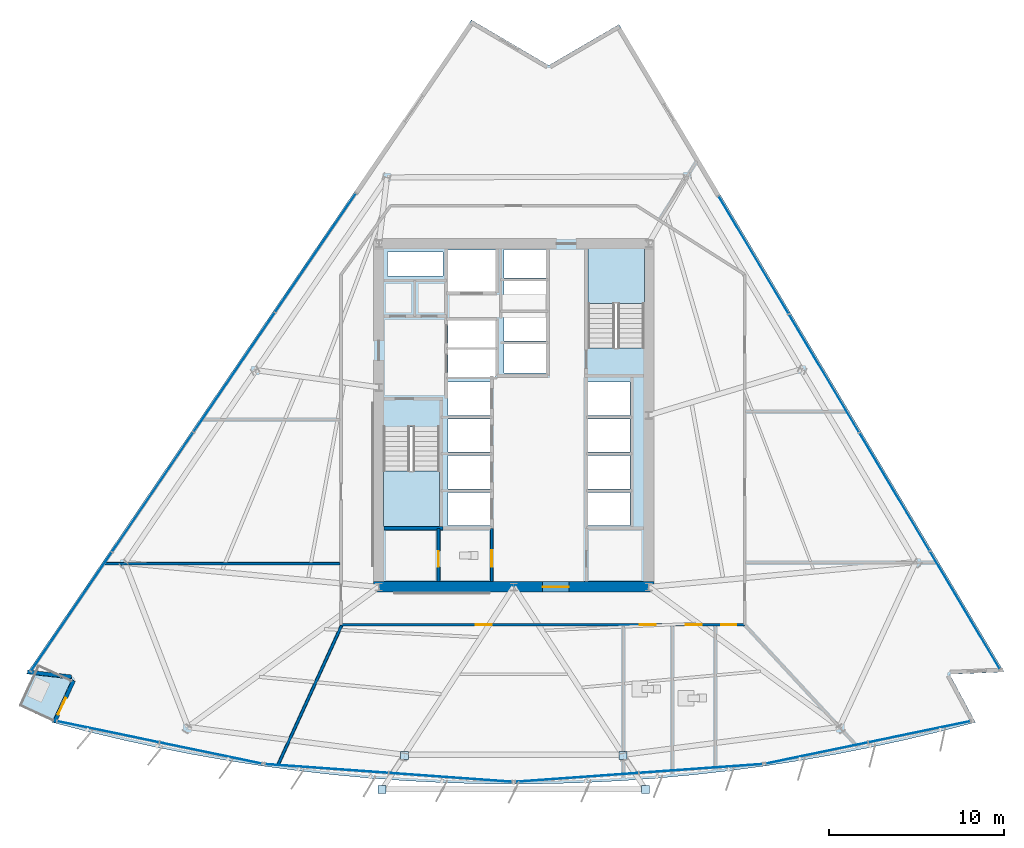
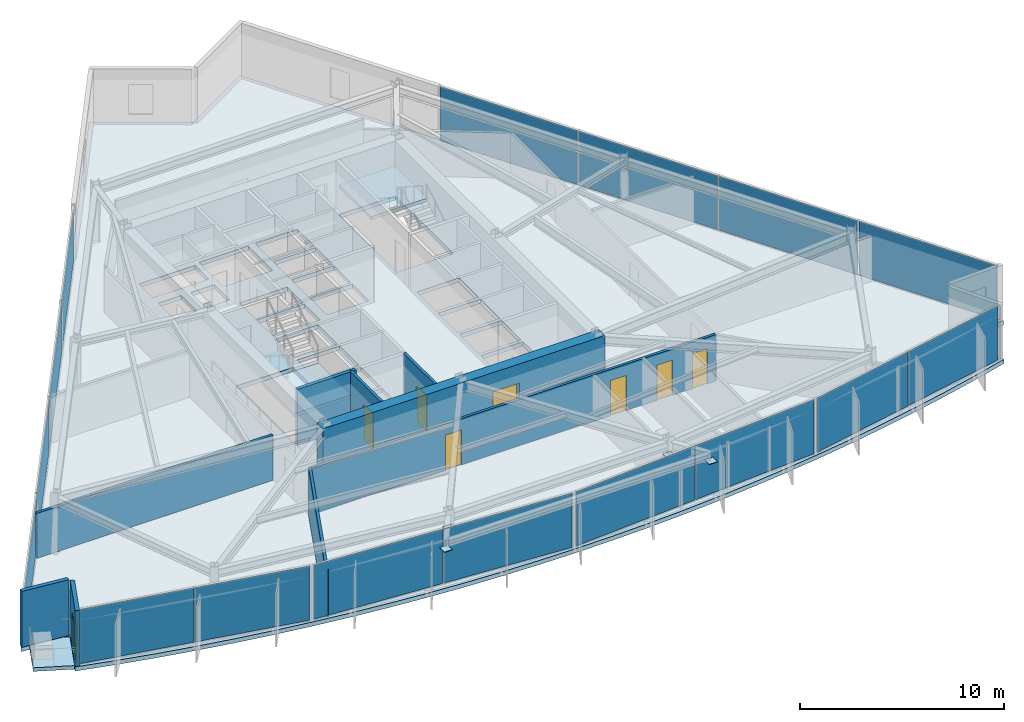
# One storey, part 7 of 15: 20 plates, 9 walls, 8 doors, 4 slabs, 8 openings, 8 elements without a shape of their own.
"""IFC4 building model written with IfcOpenShell, lengths in metres."""

from ifc_helpers import new_model, si_unit, direction, frame, frame_2d, origin, origin_2d, place, context, subcontext, project, spatial, polyline, rectangle, outline, extrude, material, layer, layer_set, type_object, element, fill, aggregate, save


model = new_model("IFC4")

# Units and contexts
model_context = context("Model", 3, precision=1e-05, world=origin(), true_north=direction((0.0, 1.0)))
body_context = subcontext(model_context, "Body", "Model", "MODEL_VIEW")
ifc_project = project(units=[si_unit("LENGTHUNIT", "METRE"), si_unit("AREAUNIT", "SQUARE_METRE"), si_unit("VOLUMEUNIT", "CUBIC_METRE"), si_unit("PLANEANGLEUNIT", "RADIAN"), si_unit("MASSUNIT", "GRAM", prefix="KILO")], contexts=[model_context])

# Site, building, storey
site_placement = place(None, origin())
site = spatial("IfcSite", under=ifc_project, at=site_placement, CompositionType="ELEMENT")
building_placement = place(site_placement, origin())
building = spatial("IfcBuilding", under=site, at=building_placement, Name="Savorim Split Tower", CompositionType="ELEMENT")
storey_placement = place(building_placement, frame((0.0, 0.0, 111.300048828125)))
storey = spatial("IfcBuildingStorey", under=building, at=storey_placement, Name="L29", CompositionType="ELEMENT", Elevation=111.300048828125)

# Curtain wall, plates
ifc_material_1 = material(Name="Dark Ceramic-Fritted Insulated Glass", Category="glass")
curtain_wall_type = type_object("IfcCurtainWallType", Name="CW-TWR-FRIT-A", PredefinedType="NOTDEFINED", material=ifc_material_1)
curtain_wall_1_placement = place(storey_placement, origin())
curtain_wall_1 = element("IfcCurtainWall", 1, at=curtain_wall_1_placement, inside=storey, type_object=curtain_wall_type, Name="L29 Curtain Wall CW-L29-SF1", PredefinedType="NOTDEFINED")
ifc_layer_1 = layer(ifc_material_1, 0.028076171875)
ifc_layer_set_1 = layer_set([ifc_layer_1], Name="CWP-FRITA-28")
plate_type_1 = type_object("IfcPlateType", Name="CWP-FRITA-28", PredefinedType="CURTAIN_PANEL", material=ifc_layer_set_1)
plate_1_placement = place(storey_placement, frame((-23.156982421875, -17.666015625, 0.05517578125), z_axis=(0.0, 0.0, 1.0), x_axis=(0.979134337165, -0.203214049179, 0.0)))
plate_1 = element("IfcPlate", 2, at=plate_1_placement, type_object=plate_type_1, Name="CW-02 panel 1.1", PredefinedType="CURTAIN_PANEL", context=body_context, shape_type="SweptSolid", body=[
    extrude(rectangle(XDim=5.912841796875, YDim=0.028076171875, at=origin_2d()), origin(), (0.0, 0.0, 1.0), 3.239990234375),
])
plate_2_placement = place(storey_placement, frame((-17.3037109375, -18.880859375, 0.05517578125), z_axis=(0.0, 0.0, 1.0), x_axis=(0.979134337165, -0.203214049179, 0.0)))
plate_2 = element("IfcPlate", 3, at=plate_2_placement, type_object=plate_type_1, Name="CW-02 panel 2.1", PredefinedType="CURTAIN_PANEL", context=body_context, shape_type="SweptSolid", body=[
    extrude(rectangle(XDim=5.912841796875, YDim=0.028076171875, at=origin_2d()), origin(), (0.0, 0.0, 1.0), 3.239990234375),
])
aggregate(curtain_wall_1, [plate_1, plate_2])

curtain_wall_2_placement = place(storey_placement, origin())
curtain_wall_2 = element("IfcCurtainWall", 4, at=curtain_wall_2_placement, inside=storey, type_object=curtain_wall_type, Name="L29 Curtain Wall CW-L29-SF2", PredefinedType="NOTDEFINED")
plate_3_placement = place(storey_placement, frame((-10.678466796875, -19.764892578125, 0.05517578125), z_axis=(0.0, 0.0, 1.0), x_axis=(0.99743649575, -0.071557228472, 0.0)))
plate_3 = element("IfcPlate", 5, at=plate_3_placement, type_object=plate_type_1, Name="CW-02 panel 1.1", PredefinedType="CURTAIN_PANEL", context=body_context, shape_type="SweptSolid", body=[
    extrude(rectangle(XDim=7.016357421875, YDim=0.028076171875, at=origin_2d()), origin(), (0.0, 0.0, 1.0), 3.239990234375),
])
plate_4_placement = place(storey_placement, frame((-3.615234375, -20.271484375, 0.05517578125), z_axis=(0.0, 0.0, 1.0), x_axis=(0.99743649575, -0.071557228472, 0.0)))
plate_4 = element("IfcPlate", 6, at=plate_4_placement, type_object=plate_type_1, Name="CW-02 panel 2.1", PredefinedType="CURTAIN_PANEL", context=body_context, shape_type="SweptSolid", body=[
    extrude(rectangle(XDim=7.016357421875, YDim=0.028076171875, at=origin_2d()), origin(), (0.0, 0.0, 1.0), 3.239990234375),
])
aggregate(curtain_wall_2, [plate_3, plate_4])

curtain_wall_3_placement = place(storey_placement, origin())
curtain_wall_3 = element("IfcCurtainWall", 7, at=curtain_wall_3_placement, inside=storey, type_object=curtain_wall_type, Name="L29 Curtain Wall CW-L29-SF3", PredefinedType="NOTDEFINED")
plate_5_placement = place(storey_placement, frame((3.615234375, -20.271484375, 0.05517578125), z_axis=(0.0, 0.0, 1.0), x_axis=(0.99743649575, 0.071557228472, 0.0)))
plate_5 = element("IfcPlate", 8, at=plate_5_placement, type_object=plate_type_1, Name="CW-02 panel 1.1", PredefinedType="CURTAIN_PANEL", context=body_context, shape_type="SweptSolid", body=[
    extrude(rectangle(XDim=7.016357421875, YDim=0.028076171875, at=origin_2d()), origin(), (0.0, 0.0, 1.0), 3.239990234375),
])
plate_6_placement = place(storey_placement, frame((10.678466796875, -19.764892578125, 0.05517578125), z_axis=(0.0, 0.0, 1.0), x_axis=(0.99743649575, 0.071557228472, 0.0)))
plate_6 = element("IfcPlate", 9, at=plate_6_placement, type_object=plate_type_1, Name="CW-02 panel 2.1", PredefinedType="CURTAIN_PANEL", context=body_context, shape_type="SweptSolid", body=[
    extrude(rectangle(XDim=7.016357421875, YDim=0.028076171875, at=origin_2d()), origin(), (0.0, 0.0, 1.0), 3.239990234375),
])
aggregate(curtain_wall_3, [plate_5, plate_6])

curtain_wall_4_placement = place(storey_placement, origin())
curtain_wall_4 = element("IfcCurtainWall", 10, at=curtain_wall_4_placement, inside=storey, type_object=curtain_wall_type, Name="L29 Curtain Wall CW-L29-SF4", PredefinedType="NOTDEFINED")
plate_7_placement = place(storey_placement, frame((17.3037109375, -18.880859375, 0.05517578125), z_axis=(0.0, 0.0, 1.0), x_axis=(0.979134337165, 0.203214049179, 0.0)))
plate_7 = element("IfcPlate", 11, at=plate_7_placement, type_object=plate_type_1, Name="CW-02 panel 1.1", PredefinedType="CURTAIN_PANEL", context=body_context, shape_type="SweptSolid", body=[
    extrude(rectangle(XDim=5.912841796875, YDim=0.028076171875, at=origin_2d()), origin(), (0.0, 0.0, 1.0), 3.239990234375),
])
plate_8_placement = place(storey_placement, frame((23.156982421875, -17.666015625, 0.05517578125), z_axis=(0.0, 0.0, 1.0), x_axis=(0.979134337165, 0.203214049179, 0.0)))
plate_8 = element("IfcPlate", 12, at=plate_8_placement, type_object=plate_type_1, Name="CW-02 panel 2.1", PredefinedType="CURTAIN_PANEL", context=body_context, shape_type="SweptSolid", body=[
    extrude(rectangle(XDim=5.912841796875, YDim=0.028076171875, at=origin_2d()), origin(), (0.0, 0.0, 1.0), 3.239990234375),
])
aggregate(curtain_wall_4, [plate_7, plate_8])

curtain_wall_5_placement = place(storey_placement, origin())
curtain_wall_5 = element("IfcCurtainWall", 13, at=curtain_wall_5_placement, inside=storey, type_object=curtain_wall_type, Name="L29 Curtain Wall CW-L29-EAST", PredefinedType="NOTDEFINED")
plate_9_placement = place(storey_placement, frame((25.752197265625, -10.72705078125, 0.05517578125), z_axis=(0.0, 0.0, 1.0), x_axis=(-0.51109301502, 0.859525409745, 0.0)))
plate_9 = element("IfcPlate", 14, at=plate_9_placement, type_object=plate_type_1, Name="CW-02 panel 1.1", PredefinedType="CURTAIN_PANEL", context=body_context, shape_type="SweptSolid", body=[
    extrude(rectangle(XDim=7.777587890625, YDim=0.028076171875, at=origin_2d()), origin(), (0.0, 0.0, 1.0), 3.239990234375),
])
plate_10_placement = place(storey_placement, frame((21.735595703125, -3.972412109375, 0.05517578125), z_axis=(0.0, 0.0, 1.0), x_axis=(-0.51109301502, 0.859525409745, 0.0)))
plate_10 = element("IfcPlate", 15, at=plate_10_placement, type_object=plate_type_1, Name="CW-02 panel 2.1", PredefinedType="CURTAIN_PANEL", context=body_context, shape_type="SweptSolid", body=[
    extrude(rectangle(XDim=7.81005859375, YDim=0.028076171875, at=origin_2d()), origin(), (0.0, 0.0, 1.0), 3.239990234375),
])
plate_11_placement = place(storey_placement, frame((17.710693359375, 2.79638671875, 0.05517578125), z_axis=(0.0, 0.0, 1.0), x_axis=(-0.51109301502, 0.859525409745, 0.0)))
plate_11 = element("IfcPlate", 16, at=plate_11_placement, type_object=plate_type_1, Name="CW-02 panel 3.1", PredefinedType="CURTAIN_PANEL", context=body_context, shape_type="SweptSolid", body=[
    extrude(rectangle(XDim=7.81005859375, YDim=0.028076171875, at=origin_2d()), origin(), (0.0, 0.0, 1.0), 3.239990234375),
])
plate_12_placement = place(storey_placement, frame((13.6943359375, 9.55126953125, 0.05517578125), z_axis=(0.0, 0.0, 1.0), x_axis=(-0.51109301502, 0.859525409745, 0.0)))
plate_12 = element("IfcPlate", 17, at=plate_12_placement, type_object=plate_type_1, Name="CW-02 panel 4.1", PredefinedType="CURTAIN_PANEL", context=body_context, shape_type="SweptSolid", body=[
    extrude(rectangle(XDim=7.777587890625, YDim=0.028076171875, at=origin_2d()), origin(), (0.0, 0.0, 1.0), 3.239990234375),
])
aggregate(curtain_wall_5, [plate_9, plate_10, plate_11, plate_12])

curtain_wall_6_placement = place(storey_placement, origin())
curtain_wall_6 = element("IfcCurtainWall", 18, at=curtain_wall_6_placement, inside=storey, type_object=curtain_wall_type, Name="L29 Curtain Wall CW-L29-WEST", PredefinedType="NOTDEFINED")
plate_13_placement = place(storey_placement, frame((-11.3193359375, 9.67529296875, 0.05517578125), z_axis=(0.0, 0.0, 1.0), x_axis=(-0.562466669628, -0.826819959579, 0.0)))
plate_13 = element("IfcPlate", 19, at=plate_13_placement, type_object=plate_type_1, Name="CW-02 panel 1.1", PredefinedType="CURTAIN_PANEL", context=body_context, shape_type="SweptSolid", body=[
    extrude(rectangle(XDim=8.174072265625, YDim=0.028076171875, at=origin_2d()), origin(), (0.0, 0.0, 1.0), 3.239990234375),
])
plate_14_placement = place(storey_placement, frame((-15.962646484375, 2.849609375, 0.05517578125), z_axis=(0.0, 0.0, 1.0), x_axis=(-0.562466669628, -0.826819959579, 0.0)))
plate_14 = element("IfcPlate", 20, at=plate_14_placement, type_object=plate_type_1, Name="CW-02 panel 2.1", PredefinedType="CURTAIN_PANEL", context=body_context, shape_type="SweptSolid", body=[
    extrude(rectangle(XDim=8.20654296875, YDim=0.028076171875, at=origin_2d()), origin(), (0.0, 0.0, 1.0), 3.239990234375),
])
plate_15_placement = place(storey_placement, frame((-20.615234375, -3.989501953125, 0.05517578125), z_axis=(0.0, 0.0, 1.0), x_axis=(-0.562466669628, -0.826819959579, 0.0)))
plate_15 = element("IfcPlate", 21, at=plate_15_placement, type_object=plate_type_1, Name="CW-02 panel 3.1", PredefinedType="CURTAIN_PANEL", context=body_context, shape_type="SweptSolid", body=[
    extrude(rectangle(XDim=8.20654296875, YDim=0.028076171875, at=origin_2d()), origin(), (0.0, 0.0, 1.0), 3.239990234375),
])
plate_16_placement = place(storey_placement, frame((-25.258544921875, -10.815185546875, 0.05517578125), z_axis=(0.0, 0.0, 1.0), x_axis=(-0.562466669628, -0.826819959579, 0.0)))
plate_16 = element("IfcPlate", 22, at=plate_16_placement, type_object=plate_type_1, Name="CW-02 panel 4.1", PredefinedType="CURTAIN_PANEL", context=body_context, shape_type="SweptSolid", body=[
    extrude(rectangle(XDim=8.174072265625, YDim=0.028076171875, at=origin_2d()), origin(), (0.0, 0.0, 1.0), 3.239990234375),
])
aggregate(curtain_wall_6, [plate_13, plate_14, plate_15, plate_16])

# Plates
ifc_material_2 = material(Name="Steel S460", Category="steel")
ifc_layer_2 = layer(ifc_material_2, 0.02490234375)
ifc_layer_set_2 = layer_set([ifc_layer_2], Name="PLT-NODE-CN1")
plate_type_2 = type_object("IfcPlateType", Name="PLT-NODE-CN1", PredefinedType="SHEET", material=ifc_layer_set_2)
for number, where, z_axis, x_axis, name in (
    (23, (-6.2421875, -19.022216796875, 2.4375), (0.0, 0.0, 1.0), (1.0, 0.0, 0.0), "L29 Bay Strut Column Gusset Plate 1"),
    (24, (-7.515869140625, -20.951416015625, 2.8076171875), (0.0, 0.0, 1.0), (1.0, 0.0, 0.0), "L29 Bay Strut Tip Gusset Plate 1"),
    (25, (6.2421875, -19.022216796875, 2.4375), (0.0, 0.0, 1.0), (1.0, 0.0, 0.0), "L29 Bay Strut Column Gusset Plate 2"),
    (26, (7.515869140625, -20.951416015625, 2.8076171875), (0.0, 0.0, 1.0), (1.0, 0.0, 0.0), "L29 Bay Strut Tip Gusset Plate 2"),
):
    element("IfcPlate", number, at=place(storey_placement, frame(where, z_axis=z_axis, x_axis=x_axis)), inside=storey, type_object=plate_type_2, Name=name, PredefinedType="SHEET", context=body_context, shape_type="SweptSolid", body=[
        extrude(rectangle(XDim=0.4599609375, YDim=0.4599609375, at=origin_2d()), origin(), (0.0, 0.0, 1.0), 0.02490234375),
    ])

# Slab
ifc_material_3 = material(Name="Concrete C50/60", Category="concrete")
ifc_layer_3 = layer(ifc_material_3, 0.219970703125)
ifc_layer_set_3 = layer_set([ifc_layer_3], Name="SLB-BAL-220")
slab_type_1 = type_object("IfcSlabType", Name="SLB-BAL-220", PredefinedType="FLOOR", material=ifc_layer_set_3)
slab_1_placement = place(storey_placement, frame((0.0, 0.0, -0.219970703125)))
element("IfcSlab", 27, at=slab_1_placement, inside=storey, type_object=slab_type_1, Name="L29 Notched Corner Planted Tree Balcony Slab", PredefinedType="FLOOR", context=body_context, shape_type="SweptSolid", body=[
    extrude(outline(polyline([(-26.309814453125, -17.013671875), (-25.27392578125, -14.759521484375), (-25.58447265625, -14.616943359375), (-27.367431640625, -14.417724609375), (-28.16796875, -16.159912109375), (-26.309814453125, -17.013671875)])), origin(), (0.0, 0.0, 1.0), 0.219970703125),
])

# Stair, slab
stair_type = type_object("IfcStairType", Name="STR-DOG-3600", PredefinedType="HALF_TURN_STAIR", material=ifc_material_3)
stair_1_placement = place(storey_placement, origin())
stair_1 = element("IfcStair", 28, at=stair_1_placement, inside=storey, type_object=stair_type, Name="L29 Core Protected Exit Stair ST-1", PredefinedType="HALF_TURN_STAIR")
ifc_layer_4 = layer(ifc_material_3, 0.199951171875)
ifc_layer_set_4 = layer_set([ifc_layer_4], Name="SLB-LND-200")
slab_type_2 = type_object("IfcSlabType", Name="SLB-LND-200", PredefinedType="LANDING", material=ifc_layer_set_4)
slab_2_placement = place(storey_placement, frame((0.0, 0.0, 1.599853515625)))
slab_2 = element("IfcSlab", 29, at=slab_2_placement, type_object=slab_type_2, Name="ST-1 landing 1", PredefinedType="LANDING", context=body_context, shape_type="SweptSolid", body=[
    extrude(outline(polyline([(-7.449951171875, -2.77001953125), (-7.449951171875, -5.949951171875), (-4.25, -5.949951171875), (-4.25, -2.77001953125), (-7.449951171875, -2.77001953125)])), origin(), (0.0, 0.0, 1.0), 0.2001953125),
])
aggregate(stair_1, [slab_2])

stair_2_placement = place(storey_placement, origin())
stair_2 = element("IfcStair", 30, at=stair_2_placement, inside=storey, type_object=stair_type, Name="L29 Core Protected Exit Stair ST-2", PredefinedType="HALF_TURN_STAIR")
slab_3_placement = place(storey_placement, frame((0.0, 0.0, 1.599853515625)))
slab_3 = element("IfcSlab", 31, at=slab_3_placement, type_object=slab_type_2, Name="ST-2 landing 1", PredefinedType="LANDING", context=body_context, shape_type="SweptSolid", body=[
    extrude(outline(polyline([(7.449951171875, 6.77001953125), (7.449951171875, 9.949951171875), (4.25, 9.949951171875), (4.25, 6.77001953125), (7.449951171875, 6.77001953125)])), origin(), (0.0, 0.0, 1.0), 0.2001953125),
])
aggregate(stair_2, [slab_3])

# Slab
ifc_layer_5 = layer(ifc_material_3, 0.25)
ifc_layer_set_5 = layer_set([ifc_layer_5], Name="SLB-TWR-250")
slab_type_3 = type_object("IfcSlabType", Name="SLB-TWR-250", PredefinedType="FLOOR", material=ifc_layer_set_5)
slab_4_placement = place(storey_placement, frame((0.0, 0.0, -0.25)))
element("IfcSlab", 32, at=slab_4_placement, inside=storey, type_object=slab_type_3, Name="L29 Structural Floor Slab", PredefinedType="FLOOR", context=body_context, shape_type="SweptSolid", body=[
    extrude(outline(polyline([(-26.355224609375, -17.124755859375), (-24.37060546875, -17.643798828125), (-22.375732421875, -18.1220703125), (-20.37158203125, -18.5595703125), (-18.358642578125, -18.955810546875), (-16.33837890625, -19.310791015625), (-14.31103515625, -19.62451171875), (-12.277587890625, -19.896484375), (-10.2392578125, -20.126953125), (-8.196533203125, -20.315673828125), (-6.150390625, -20.46240234375), (-4.101806640625, -20.5673828125), (-2.05126953125, -20.630126953125), (0.0, -20.651123046875), (2.05126953125, -20.630126953125), (4.101806640625, -20.5673828125), (6.150390625, -20.46240234375), (8.196533203125, -20.315673828125), (10.2392578125, -20.126953125), (12.277587890625, -19.896484375), (14.31103515625, -19.62451171875), (16.33837890625, -19.310791015625), (18.358642578125, -18.955810546875), (20.37158203125, -18.5595703125), (22.375732421875, -18.1220703125), (24.37060546875, -17.643798828125), (26.355224609375, -17.124755859375), (24.88525390625, -14.38525390625), (27.988525390625, -14.25341796875), (6.0078125, 22.712890625), (1.9951171875, 20.374267578125), (-2.420654296875, 22.969482421875), (-27.81689453125, -14.362548828125), (-25.21923828125, -14.652587890625), (-26.355224609375, -17.124755859375)]), holes=[polyline([(-7.449951171875, -0.25390625), (-7.449951171875, -5.949951171875), (-4.25, -5.949951171875), (-4.25, -0.25390625), (-7.449951171875, -0.25390625)]), polyline([(7.449951171875, 4.25390625), (7.449951171875, 9.949951171875), (4.25, 9.949951171875), (4.25, 4.25390625), (7.449951171875, 4.25390625)]), polyline([(4.25, -5.89990234375), (6.64990234375, -5.89990234375), (6.64990234375, -4.0), (4.25, -4.0), (4.25, -5.89990234375)]), polyline([(4.25, -3.800048828125), (6.64990234375, -3.800048828125), (6.64990234375, -1.89990234375), (4.25, -1.89990234375), (4.25, -3.800048828125)]), polyline([(4.25, -1.699951171875), (6.64990234375, -1.699951171875), (6.64990234375, 0.199951171875), (4.25, 0.199951171875), (4.25, -1.699951171875)]), polyline([(4.25, 0.39990234375), (6.64990234375, 0.39990234375), (6.64990234375, 2.300048828125), (4.25, 2.300048828125), (4.25, 0.39990234375)]), polyline([(-3.75, -5.89990234375), (-1.35009765625, -5.89990234375), (-1.35009765625, -4.0), (-3.75, -4.0), (-3.75, -5.89990234375)]), polyline([(-3.75, -3.800048828125), (-1.35009765625, -3.800048828125), (-1.35009765625, -1.89990234375), (-3.75, -1.89990234375), (-3.75, -3.800048828125)]), polyline([(-3.75, -1.699951171875), (-1.35009765625, -1.699951171875), (-1.35009765625, 0.199951171875), (-3.75, 0.199951171875), (-3.75, -1.699951171875)]), polyline([(-3.75, 0.39990234375), (-1.35009765625, 0.39990234375), (-1.35009765625, 2.300048828125), (-3.75, 2.300048828125), (-3.75, 0.39990234375)]), polyline([(-0.550048828125, 2.830078125), (1.85009765625, 2.830078125), (1.85009765625, 4.469970703125), (-0.550048828125, 4.469970703125), (-0.550048828125, 2.830078125)]), polyline([(-0.550048828125, 4.6298828125), (1.85009765625, 4.6298828125), (1.85009765625, 6.27001953125), (-0.550048828125, 6.27001953125), (-0.550048828125, 4.6298828125)]), polyline([(-0.550048828125, 6.429931640625), (1.85009765625, 6.429931640625), (1.85009765625, 8.070068359375), (-0.550048828125, 8.070068359375), (-0.550048828125, 6.429931640625)]), polyline([(-0.550048828125, 8.22998046875), (1.85009765625, 8.22998046875), (1.85009765625, 9.8701171875), (-0.550048828125, 9.8701171875), (-0.550048828125, 8.22998046875)]), polyline([(-3.75, 2.60009765625), (-1.050048828125, 2.60009765625), (-1.050048828125, 4.159912109375), (-3.75, 4.159912109375), (-3.75, 2.60009765625)]), polyline([(-3.75, 4.280029296875), (-1.050048828125, 4.280029296875), (-1.050048828125, 5.840087890625), (-3.75, 5.840087890625), (-3.75, 4.280029296875)]), polyline([(-3.75, 7.449951171875), (-0.949951171875, 7.449951171875), (-0.949951171875, 9.85009765625), (-3.75, 9.85009765625), (-3.75, 7.449951171875)]), polyline([(-7.219970703125, 6.320068359375), (-5.919921875, 6.320068359375), (-5.919921875, 7.820068359375), (-7.219970703125, 7.820068359375), (-7.219970703125, 6.320068359375)]), polyline([(-5.3798828125, 6.320068359375), (-4.050048828125, 6.320068359375), (-4.050048828125, 7.820068359375), (-5.3798828125, 7.820068359375), (-5.3798828125, 6.320068359375)]), polyline([(-7.219970703125, 8.360107421875), (-4.050048828125, 8.360107421875), (-4.050048828125, 9.719970703125), (-7.219970703125, 9.719970703125), (-7.219970703125, 8.360107421875)])]), origin(), (0.0, 0.0, 1.0), 0.25),
])

# Wall, opening, door
ifc_material_4 = material(Name="Concrete C60/75", Category="concrete")
ifc_layer_6 = layer(ifc_material_4, 0.60009765625)
ifc_layer_set_6 = layer_set([ifc_layer_6], Name="WAL-COR-SH600")
wall_type_1 = type_object("IfcWallType", Name="WAL-COR-SH600", PredefinedType="SHEAR", material=ifc_layer_set_6)
wall_1_placement = place(storey_placement, frame((-8.0, -9.39990234375, 0.0), z_axis=(0.0, 0.0, 1.0), x_axis=(1.0, 0.0, 0.0)))
wall_1 = element("IfcWall", 33, at=wall_1_placement, inside=storey, type_object=wall_type_1, Name="L29 Offset Core South Shear Wall", PredefinedType="SHEAR", context=body_context, shape_type="SweptSolid", body=[
    extrude(rectangle(XDim=16.0, YDim=0.60009765625, at=frame_2d((8.0, 0.0))), origin(), (0.0, 0.0, 1.0), 3.349853515625),
])
opening_1_placement = place(wall_1_placement, frame((9.64990234375, 0.0, 0.0)))
opening_1 = element("IfcOpeningElement", 34, at=opening_1_placement, cuts=wall_1, Name="Opening DI-02", PredefinedType="OPENING", context=body_context, shape_type="SweptSolid", body=[
    extrude(rectangle(XDim=1.5, YDim=2.199951171875, at=frame_2d((0.75, 1.10009765625))), frame((0.0, 0.31005859375, 0.0), z_axis=(0.0, -1.0, 0.0), x_axis=(1.0, 0.0, 0.0)), (0.0, 0.0, 1.0), 0.6201171875),
])
ifc_material_5 = material(Name="Timber Fire Door Leaf", Category="wood")
door_type_1 = type_object("IfcDoorType", Name="DOR-DBL-1500", OperationType="NOTDEFINED", PredefinedType="DOOR", material=ifc_material_5)
door_1_placement = place(opening_1_placement, origin())
door_1 = element("IfcDoor", 35, at=door_1_placement, inside=storey, type_object=door_type_1, Name="DOR-L29-COR-LLOB - L29 Lift Lobby Main Rated Door", OperationType="DOUBLE_DOOR_SINGLE_SWING", OverallHeight=2.199951171875, OverallWidth=1.5, PredefinedType="DOOR", context=body_context, shape_type="SweptSolid", body=[
    extrude(rectangle(XDim=1.5, YDim=2.199951171875, at=frame_2d((0.75, 1.10009765625))), frame((0.0, 0.02490234375, 0.0), z_axis=(0.0, -1.0, 0.0), x_axis=(1.0, 0.0, 0.0)), (0.0, 0.0, 1.0), 0.050048828125),
])
fill(opening_1, door_1)

# Wall
ifc_material_6 = material(Name="Precast concrete C40/50", Category="concrete")
ifc_layer_7 = layer(ifc_material_6, 0.219970703125)
ifc_layer_set_7 = layer_set([ifc_layer_7], Name="WAL-EXT-CRN220")
wall_type_2 = type_object("IfcWallType", Name="WAL-EXT-CRN220", PredefinedType="SOLIDWALL", material=ifc_layer_set_7)
wall_2_placement = place(storey_placement, frame((-25.24560546875, -14.52880859375, 0.0), z_axis=(0.0, 0.0, 1.0), x_axis=(-0.993831926713, 0.110896805395, 0.0)))
element("IfcWall", 36, at=wall_2_placement, inside=storey, type_object=wall_type_2, Name="L29 Notched Corner Facade Wall SW1", PredefinedType="SOLIDWALL", context=body_context, shape_type="SweptSolid", body=[
    extrude(rectangle(XDim=2.533935546875, YDim=0.219970703125, at=frame_2d((1.26708984375, 0.0))), origin(), (0.0, 0.0, 1.0), 3.349853515625),
])

# Wall, opening, door
wall_3_placement = place(storey_placement, frame((-26.2294921875, -17.138671875, 0.0), z_axis=(0.0, 0.0, 1.0), x_axis=(0.417498108462, 0.908677791866, 0.0)))
wall_3 = element("IfcWall", 37, at=wall_3_placement, inside=storey, type_object=wall_type_2, Name="L29 Notched Corner Facade Wall SW", PredefinedType="SOLIDWALL", context=body_context, shape_type="SweptSolid", body=[
    extrude(rectangle(XDim=2.640869140625, YDim=0.219970703125, at=frame_2d((1.3203125, 0.0))), origin(), (0.0, 0.0, 1.0), 3.349853515625),
])
opening_2_placement = place(wall_3_placement, frame((0.495361328125, 0.0, 0.0)))
opening_2 = element("IfcOpeningElement", 38, at=opening_2_placement, cuts=wall_3, Name="Opening DB-01", PredefinedType="OPENING", context=body_context, shape_type="SweptSolid", body=[
    extrude(rectangle(XDim=1.050048828125, YDim=2.14990234375, at=frame_2d((0.52490234375, 1.074951171875))), frame((0.0, 0.119873046875, 0.0), z_axis=(0.0, -1.0, 0.0), x_axis=(1.0, 0.0, 0.0)), (0.0, 0.0, 1.0), 0.239990234375),
])
ifc_material_7 = material(Name="Charcoal Anodised Aluminium", Category="aluminium")
door_type_2 = type_object("IfcDoorType", Name="DOR-BAL-1050", OperationType="NOTDEFINED", PredefinedType="DOOR", material=ifc_material_7)
door_2_placement = place(opening_2_placement, origin())
door_2 = element("IfcDoor", 39, at=door_2_placement, inside=storey, type_object=door_type_2, Name="DOR-L29-TBAL-SW - L29 Planted Tree Balcony Door SW", OperationType="SINGLE_SWING_RIGHT", OverallHeight=2.14990234375, OverallWidth=1.050048828125, PredefinedType="DOOR", context=body_context, shape_type="SweptSolid", body=[
    extrude(rectangle(XDim=1.050048828125, YDim=2.14990234375, at=frame_2d((0.52490234375, 1.074951171875))), frame((0.0, 0.02490234375, 0.0), z_axis=(0.0, -1.0, 0.0), x_axis=(1.0, 0.0, 0.0)), (0.0, 0.0, 1.0), 0.050048828125),
])
fill(opening_2, door_2)

# Wall
ifc_layer_8 = layer(ifc_material_3, 0.199951171875)
ifc_layer_set_8 = layer_set([ifc_layer_8], Name="WAL-INT-RC200")
wall_type_3 = type_object("IfcWallType", Name="WAL-INT-RC200", PredefinedType="SOLIDWALL", material=ifc_layer_set_8)
wall_4_placement = place(storey_placement, frame((-7.39990234375, -6.050048828125, 0.0), z_axis=(0.0, 0.0, 1.0), x_axis=(1.0, 0.0, 0.0)))
element("IfcWall", 40, at=wall_4_placement, inside=storey, type_object=wall_type_3, Name="L29 Structural Shaft Wall W-L29-KSEP-W", PredefinedType="SOLIDWALL", context=body_context, shape_type="SweptSolid", body=[
    extrude(rectangle(XDim=3.349853515625, YDim=0.199951171875, at=frame_2d((1.6748046875, 0.0))), origin(), (0.0, 0.0, 1.0), 3.349853515625),
])

# Wall, opening, door
ifc_material_8 = material(Name="Acoustic Gypsum Partition Board")
ifc_layer_9 = layer(ifc_material_8, 0.14990234375)
ifc_layer_set_9 = layer_set([ifc_layer_9], Name="WAL-PAR-150")
wall_type_4 = type_object("IfcWallType", Name="WAL-PAR-150", PredefinedType="PARTITIONING", material=ifc_layer_set_9)
wall_5_placement = place(storey_placement, frame((-1.25, -9.094970703125, 0.0), z_axis=(0.0, 0.0, 1.0), x_axis=(0.0, 1.0, 0.0)))
wall_5 = element("IfcWall", 41, at=wall_5_placement, inside=storey, type_object=wall_type_4, Name="L29 Partition W-L29-KLOB-W", PredefinedType="PARTITIONING", context=body_context, shape_type="SweptSolid", body=[
    extrude(rectangle(XDim=3.044921875, YDim=0.14990234375, at=frame_2d((1.5224609375, 0.0))), origin(), (0.0, 0.0, 1.0), 3.349853515625),
])
opening_3_placement = place(wall_5_placement, frame((0.844970703125, 0.0, 0.0)))
opening_3 = element("IfcOpeningElement", 42, at=opening_3_placement, cuts=wall_5, Name="Opening DI-10", PredefinedType="OPENING", context=body_context, shape_type="SweptSolid", body=[
    extrude(rectangle(XDim=0.949951171875, YDim=2.10009765625, at=frame_2d((0.47509765625, 1.050048828125))), frame((0.0, 0.0849609375, 0.0), z_axis=(0.0, -1.0, 0.0), x_axis=(1.0, 0.0, 0.0)), (0.0, 0.0, 1.0), 0.169921875),
])
ifc_material_9 = material(Name="Oak Veneer Acoustic Door")
door_type_3 = type_object("IfcDoorType", Name="DOR-WC-950", OperationType="NOTDEFINED", PredefinedType="DOOR", material=ifc_material_9)
door_3_placement = place(opening_3_placement, origin())
door_3 = element("IfcDoor", 43, at=door_3_placement, inside=storey, type_object=door_type_3, Name="DR-L29-K1WC - L29 Core Accessible WC Door", OperationType="SINGLE_SWING_LEFT", OverallHeight=2.10009765625, OverallWidth=0.949951171875, PredefinedType="DOOR", context=body_context, shape_type="SweptSolid", body=[
    extrude(rectangle(XDim=0.949951171875, YDim=2.10009765625, at=frame_2d((0.47509765625, 1.050048828125))), frame((0.0, 0.02490234375, 0.0), z_axis=(0.0, -1.0, 0.0), x_axis=(1.0, 0.0, 0.0)), (0.0, 0.0, 1.0), 0.050048828125),
])
fill(opening_3, door_3)

wall_6_placement = place(storey_placement, frame((-4.300048828125, -9.094970703125, 0.0), z_axis=(0.0, 0.0, 1.0), x_axis=(0.0, 1.0, 0.0)))
wall_6 = element("IfcWall", 44, at=wall_6_placement, inside=storey, type_object=wall_type_4, Name="L29 Partition W-L29-K1W", PredefinedType="PARTITIONING", context=body_context, shape_type="SweptSolid", body=[
    extrude(rectangle(XDim=3.044921875, YDim=0.14990234375, at=frame_2d((1.5224609375, 0.0))), origin(), (0.0, 0.0, 1.0), 3.349853515625),
])
opening_4_placement = place(wall_6_placement, frame((0.844970703125, 0.0, 0.0)))
opening_4 = element("IfcOpeningElement", 45, at=opening_4_placement, cuts=wall_6, Name="Opening DI-06", PredefinedType="OPENING", context=body_context, shape_type="SweptSolid", body=[
    extrude(rectangle(XDim=0.89990234375, YDim=2.10009765625, at=frame_2d((0.449951171875, 1.050048828125))), frame((0.0, 0.0849609375, 0.0), z_axis=(0.0, -1.0, 0.0), x_axis=(1.0, 0.0, 0.0)), (0.0, 0.0, 1.0), 0.169921875),
])
door_type_4 = type_object("IfcDoorType", Name="DOR-FIR-900", OperationType="NOTDEFINED", PredefinedType="DOOR", material=ifc_material_5)
door_4_placement = place(opening_4_placement, origin())
door_4 = element("IfcDoor", 46, at=door_4_placement, inside=storey, type_object=door_type_4, Name="DR-L29-K1HK - L29 Housekeeping Store Door", OperationType="SINGLE_SWING_RIGHT", OverallHeight=2.10009765625, OverallWidth=0.89990234375, PredefinedType="DOOR", context=body_context, shape_type="SweptSolid", body=[
    extrude(rectangle(XDim=0.89990234375, YDim=2.10009765625, at=frame_2d((0.449951171875, 1.050048828125))), frame((0.0, 0.02490234375, 0.0), z_axis=(0.0, -1.0, 0.0), x_axis=(1.0, 0.0, 0.0)), (0.0, 0.0, 1.0), 0.050048828125),
])
fill(opening_4, door_4)

# Wall, openings, doors
wall_7_placement = place(storey_placement, frame((13.179931640625, -11.56005859375, 0.0), z_axis=(0.0, 0.0, 1.0), x_axis=(-1.0, 0.0, 0.0)))
wall_7 = element("IfcWall", 47, at=wall_7_placement, inside=storey, type_object=wall_type_4, Name="L29 Partition W-L29-COR-06", PredefinedType="PARTITIONING", context=body_context, shape_type="SweptSolid", body=[
    extrude(rectangle(XDim=23.0400390625, YDim=0.14990234375, at=frame_2d((11.52001953125, 0.0))), origin(), (0.0, 0.0, 1.0), 2.77490234375),
])
opening_5_placement = place(wall_7_placement, frame((14.447509765625, 0.0, 0.0)))
opening_5 = element("IfcOpeningElement", 48, at=opening_5_placement, cuts=wall_7, Name="Opening DI-06", PredefinedType="OPENING", context=body_context, shape_type="SweptSolid", body=[
    extrude(rectangle(XDim=0.89990234375, YDim=2.10009765625, at=frame_2d((0.449951171875, 1.050048828125))), frame((0.0, 0.0849609375, 0.0), z_axis=(0.0, -1.0, 0.0), x_axis=(1.0, 0.0, 0.0)), (0.0, 0.0, 1.0), 0.169921875),
])
opening_6_placement = place(wall_7_placement, frame((5.083251953125, 0.0, 0.0)))
opening_6 = element("IfcOpeningElement", 49, at=opening_6_placement, cuts=wall_7, Name="Opening DI-11", PredefinedType="OPENING", context=body_context, shape_type="SweptSolid", body=[
    extrude(rectangle(XDim=0.89990234375, YDim=2.10009765625, at=frame_2d((0.449951171875, 1.050048828125))), frame((0.0, 0.0849609375, 0.0), z_axis=(0.0, -1.0, 0.0), x_axis=(1.0, 0.0, 0.0)), (0.0, 0.0, 1.0), 0.169921875),
])
opening_7_placement = place(wall_7_placement, frame((2.45068359375, 0.0, 0.0)))
opening_7 = element("IfcOpeningElement", 50, at=opening_7_placement, cuts=wall_7, Name="Opening DI-11", PredefinedType="OPENING", context=body_context, shape_type="SweptSolid", body=[
    extrude(rectangle(XDim=0.89990234375, YDim=2.10009765625, at=frame_2d((0.449951171875, 1.050048828125))), frame((0.0, 0.0849609375, 0.0), z_axis=(0.0, -1.0, 0.0), x_axis=(1.0, 0.0, 0.0)), (0.0, 0.0, 1.0), 0.169921875),
])
opening_8_placement = place(wall_7_placement, frame((0.47314453125, 0.0, 0.0)))
opening_8 = element("IfcOpeningElement", 51, at=opening_8_placement, cuts=wall_7, Name="Opening DI-13", PredefinedType="OPENING", context=body_context, shape_type="SweptSolid", body=[
    extrude(rectangle(XDim=0.85009765625, YDim=2.10009765625, at=frame_2d((0.425048828125, 1.050048828125))), frame((0.0, 0.0849609375, 0.0), z_axis=(0.0, -1.0, 0.0), x_axis=(1.0, 0.0, 0.0)), (0.0, 0.0, 1.0), 0.169921875),
])
door_type_5 = type_object("IfcDoorType", Name="DOR-FIR-850", OperationType="NOTDEFINED", PredefinedType="DOOR", material=ifc_material_5)
door_5_placement = place(opening_8_placement, origin())
door_5 = element("IfcDoor", 52, at=door_5_placement, inside=storey, type_object=door_type_5, Name="DR-L29-RM06 - L29 Co-Living Bedroom Entry Door", OperationType="SINGLE_SWING_LEFT", OverallHeight=2.10009765625, OverallWidth=0.85009765625, PredefinedType="DOOR", context=body_context, shape_type="SweptSolid", body=[
    extrude(rectangle(XDim=0.85009765625, YDim=2.10009765625, at=frame_2d((0.425048828125, 1.050048828125))), frame((0.0, 0.02490234375, 0.0), z_axis=(0.0, -1.0, 0.0), x_axis=(1.0, 0.0, 0.0)), (0.0, 0.0, 1.0), 0.050048828125),
])
fill(opening_8, door_5)
door_6_placement = place(opening_5_placement, origin())
door_6 = element("IfcDoor", 53, at=door_6_placement, inside=storey, type_object=door_type_4, Name="DR-L29-RM03 - L29 Co-Working Commons Entry Door", OperationType="SINGLE_SWING_RIGHT", OverallHeight=2.10009765625, OverallWidth=0.89990234375, PredefinedType="DOOR", context=body_context, shape_type="SweptSolid", body=[
    extrude(rectangle(XDim=0.89990234375, YDim=2.10009765625, at=frame_2d((0.449951171875, 1.050048828125))), frame((0.0, 0.02490234375, 0.0), z_axis=(0.0, -1.0, 0.0), x_axis=(1.0, 0.0, 0.0)), (0.0, 0.0, 1.0), 0.050048828125),
])
fill(opening_5, door_6)
door_type_6 = type_object("IfcDoorType", Name="DOR-WC-900", OperationType="NOTDEFINED", PredefinedType="DOOR", material=ifc_material_9)
door_7_placement = place(opening_6_placement, origin())
door_7 = element("IfcDoor", 54, at=door_7_placement, inside=storey, type_object=door_type_6, Name="DR-L29-RM04 - L29 Shared Bathroom Entry Door", OperationType="SINGLE_SWING_LEFT", OverallHeight=2.10009765625, OverallWidth=0.89990234375, PredefinedType="DOOR", context=body_context, shape_type="SweptSolid", body=[
    extrude(rectangle(XDim=0.89990234375, YDim=2.10009765625, at=frame_2d((0.449951171875, 1.050048828125))), frame((0.0, 0.02490234375, 0.0), z_axis=(0.0, -1.0, 0.0), x_axis=(1.0, 0.0, 0.0)), (0.0, 0.0, 1.0), 0.050048828125),
])
fill(opening_6, door_7)
door_8_placement = place(opening_7_placement, origin())
door_8 = element("IfcDoor", 55, at=door_8_placement, inside=storey, type_object=door_type_6, Name="DR-L29-RM05 - L29 Shared Bathroom Entry Door", OperationType="SINGLE_SWING_RIGHT", OverallHeight=2.10009765625, OverallWidth=0.89990234375, PredefinedType="DOOR", context=body_context, shape_type="SweptSolid", body=[
    extrude(rectangle(XDim=0.89990234375, YDim=2.10009765625, at=frame_2d((0.449951171875, 1.050048828125))), frame((0.0, 0.02490234375, 0.0), z_axis=(0.0, -1.0, 0.0), x_axis=(1.0, 0.0, 0.0)), (0.0, 0.0, 1.0), 0.050048828125),
])
fill(opening_7, door_8)

# Walls
wall_8_placement = place(storey_placement, frame((-9.919921875, -8.06396484375, 0.0), z_axis=(0.0, 0.0, 1.0), x_axis=(-1.0, 0.0, 0.0)))
element("IfcWall", 56, at=wall_8_placement, inside=storey, type_object=wall_type_4, Name="L29 Partition W-L29-PRAD10", PredefinedType="PARTITIONING", context=body_context, shape_type="SweptSolid", body=[
    extrude(rectangle(XDim=13.406494140625, YDim=0.14990234375, at=frame_2d((6.703125, 0.0))), origin(), (0.0, 0.0, 1.0), 2.704833984375),
])
wall_9_placement = place(storey_placement, frame((-9.83349609375, -11.609130859375, 0.0), z_axis=(0.0, 0.0, 1.0), x_axis=(-0.415051797371, -0.909797782751, 0.0)))
element("IfcWall", 57, at=wall_9_placement, inside=storey, type_object=wall_type_4, Name="L29 Partition W-L29-SUB02", PredefinedType="PARTITIONING", context=body_context, shape_type="SweptSolid", body=[
    extrude(rectangle(XDim=8.74609375, YDim=0.14990234375, at=frame_2d((4.373046875, 0.0))), origin(), (0.0, 0.0, 1.0), 2.8349609375),
])

save(model, "model.ifc")
